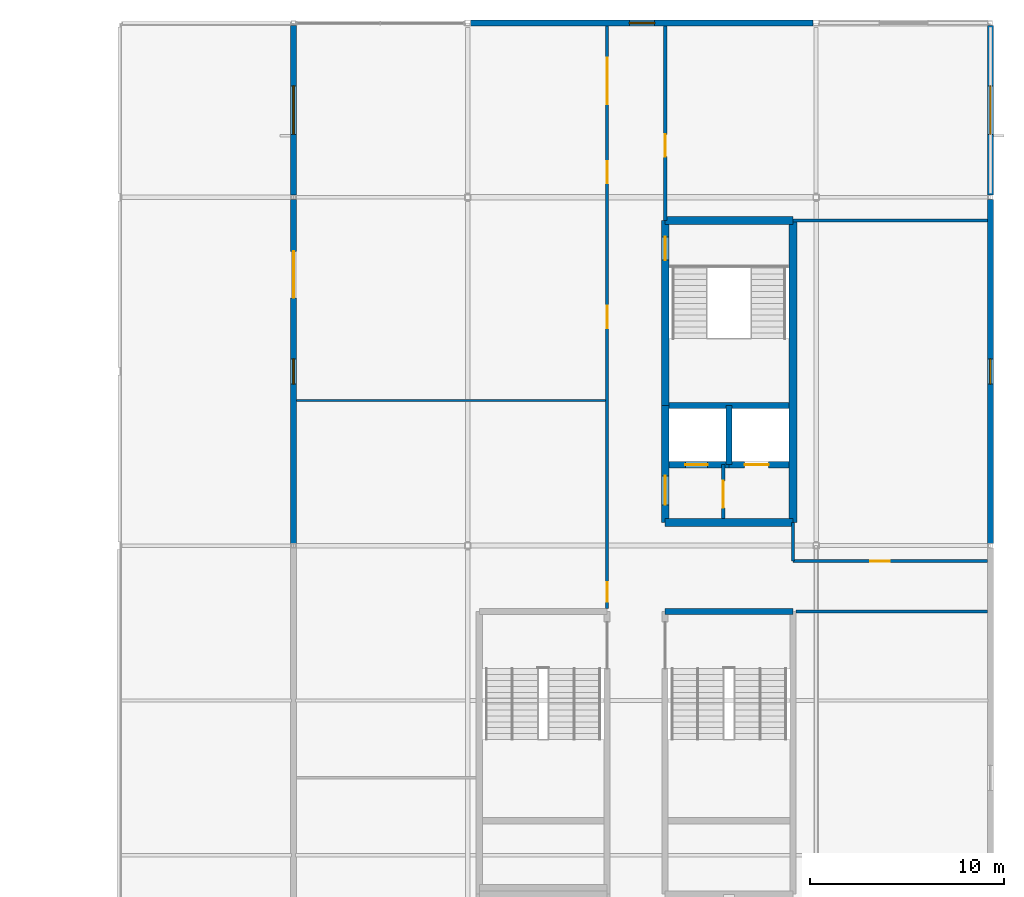
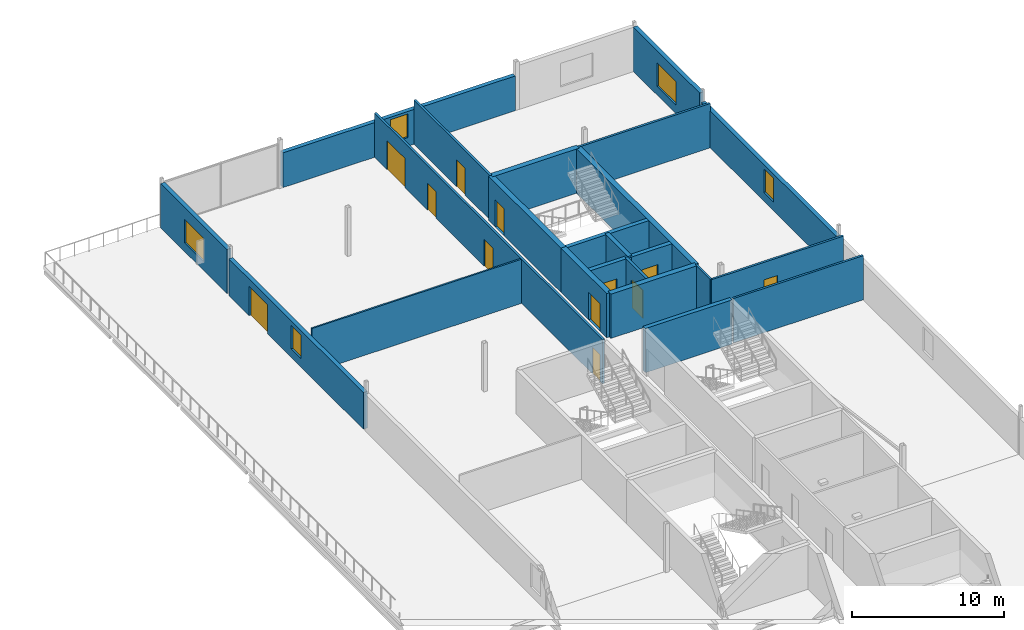
# One storey, part 33 of 55: 23 walls, 12 doors, 5 windows, 17 openings.
"""IFC4 building model written with IfcOpenShell, lengths in metres."""

from ifc_helpers import new_model, si_unit, direction, frame, frame_2d, origin, place, context, subcontext, project, spatial, rectangle, extrude, material, layer, layer_set, type_object, element, fill, save


model = new_model("IFC4")

# Units and contexts
model_context = context("Model", 3, precision=1e-05, world=origin(), true_north=direction((0.0, 1.0)))
body_context = subcontext(model_context, "Body", "Model", "MODEL_VIEW")
ifc_project = project(units=[si_unit("LENGTHUNIT", "METRE"), si_unit("AREAUNIT", "SQUARE_METRE"), si_unit("VOLUMEUNIT", "CUBIC_METRE"), si_unit("PLANEANGLEUNIT", "RADIAN"), si_unit("MASSUNIT", "GRAM", prefix="KILO")], contexts=[model_context])

# Site, building, storey
site_placement = place(None, origin())
site = spatial("IfcSite", under=ifc_project, at=site_placement, CompositionType="ELEMENT")
building_placement = place(site_placement, origin())
building = spatial("IfcBuilding", under=site, at=building_placement, Name="Kisiwana Market Hall", CompositionType="ELEMENT")
storey_placement = place(building_placement, frame((0.0, 0.0, 37.800048828125)))
storey = spatial("IfcBuildingStorey", under=building, at=storey_placement, Name="L08", CompositionType="ELEMENT", Elevation=37.800048828125)

# Wall, opening, door
ifc_material_1 = material(Name="Masonry blockwork", Category="masonry")
ifc_layer_1 = layer(ifc_material_1, 0.199951171875, Name="Plastered fire compartment block wall")
ifc_layer_set_1 = layer_set([ifc_layer_1], Name="WL-COMP-200")
wall_type_1 = type_object("IfcWallType", Name="WL-COMP-200", PredefinedType="PARTITIONING", material=ifc_layer_set_1)
wall_1_placement = place(storey_placement, frame((184.199951171875, 85.39990234375, 0.0), z_axis=(0.0, 0.0, 1.0), x_axis=(0.0, 1.0, 0.0)))
wall_1 = element("IfcWall", 1, at=wall_1_placement, inside=storey, type_object=wall_type_1, Name="Core E1 firefighting lobby wall W-2382", PredefinedType="PARTITIONING", context=body_context, shape_type="SweptSolid", body=[
    extrude(rectangle(XDim=2.780029296875, YDim=0.199951171875, at=frame_2d((1.39013671875, 0.0))), origin(), (0.0, 0.0, 1.0), 3.56494140625),
])
opening_1_placement = place(wall_1_placement, frame((0.550048828125, 0.0, 0.0)))
opening_1 = element("IfcOpeningElement", 2, at=opening_1_placement, cuts=wall_1, Name="Opening DR-L08-012", PredefinedType="OPENING", context=body_context, shape_type="SweptSolid", body=[
    extrude(rectangle(XDim=1.39990234375, YDim=2.25, at=frame_2d((0.699951171875, 1.125))), frame((0.0, 0.11181640625, 0.0), z_axis=(0.0, -1.0, 0.0), x_axis=(1.0, 0.0, 0.0)), (0.0, 0.0, 1.0), 0.223876953125),
])
ifc_material_2 = material(Name="Steel S275", Category="steel")
door_type_1 = type_object("IfcDoorType", Name="DR-FFLOB-FD120-1400", OperationType="DOUBLE_DOOR_SINGLE_SWING", PredefinedType="DOOR", material=ifc_material_2)
door_1_placement = place(opening_1_placement, origin())
door_1 = element("IfcDoor", 3, at=door_1_placement, inside=storey, type_object=door_type_1, Name="Firefighting Lift Lobby E1 Door (L08)", OperationType="DOUBLE_DOOR_SINGLE_SWING", OverallHeight=2.25, OverallWidth=1.39990234375, PredefinedType="DOOR", context=body_context, shape_type="SweptSolid", body=[
    extrude(rectangle(XDim=1.39990234375, YDim=2.25, at=frame_2d((0.699951171875, 1.125))), frame((0.0, 0.02490234375, 0.0), z_axis=(0.0, -1.0, 0.0), x_axis=(1.0, 0.0, 0.0)), (0.0, 0.0, 1.0), 0.050048828125),
])
fill(opening_1, door_1)

# Walls
ifc_material_3 = material(Name="Concrete C40/50", Category="concrete")
ifc_layer_2 = layer(ifc_material_3, 0.320068359375, Name="Reinforced concrete shaft wall")
ifc_layer_set_2 = layer_set([ifc_layer_2], Name="WL-CORE-320")
wall_type_2 = type_object("IfcWallType", Name="WL-CORE-320", PredefinedType="SHEAR", material=ifc_layer_set_2)
wall_2_placement = place(storey_placement, frame((181.39990234375, 91.239990234375, 0.0), z_axis=(0.0, 0.0, 1.0), x_axis=(1.0, 0.0, 0.0)))
element("IfcWall", 4, at=wall_2_placement, inside=storey, type_object=wall_type_2, Name="Core E1 shaft back shear wall W-2294", PredefinedType="SHEAR", context=body_context, shape_type="SweptSolid", body=[
    extrude(rectangle(XDim=6.2001953125, YDim=0.320068359375, at=frame_2d((3.10009765625, 0.0))), origin(), (0.0, 0.0, 1.0), 3.56494140625),
])
wall_3_placement = place(storey_placement, frame((184.5, 88.179931640625, 0.0), z_axis=(0.0, 0.0, 1.0), x_axis=(0.0, 1.0, 0.0)))
element("IfcWall", 5, at=wall_3_placement, inside=storey, type_object=wall_type_2, Name="Core E1 inter-shaft shear wall W-2295", PredefinedType="SHEAR", context=body_context, shape_type="SweptSolid", body=[
    extrude(rectangle(XDim=3.06005859375, YDim=0.320068359375, at=frame_2d((1.530029296875, 0.0))), origin(), (0.0, 0.0, 1.0), 3.56494140625),
])

# Wall, opening, door
wall_4_placement = place(storey_placement, frame((181.39990234375, 88.179931640625, 0.0), z_axis=(0.0, 0.0, 1.0), x_axis=(1.0, 0.0, 0.0)))
wall_4 = element("IfcWall", 6, at=wall_4_placement, inside=storey, type_object=wall_type_2, Name="Core E1 west lift front wall W-2296", PredefinedType="SHEAR", context=body_context, shape_type="SweptSolid", body=[
    extrude(rectangle(XDim=3.10009765625, YDim=0.320068359375, at=frame_2d((1.550048828125, 0.0))), origin(), (0.0, 0.0, 1.0), 3.56494140625),
])
opening_2_placement = place(wall_4_placement, frame((0.85009765625, 0.0, 0.0)))
opening_2 = element("IfcOpeningElement", 7, at=opening_2_placement, cuts=wall_4, Name="Opening LD-L08-007", PredefinedType="OPENING", context=body_context, shape_type="SweptSolid", body=[
    extrude(rectangle(XDim=1.14990234375, YDim=2.199951171875, at=frame_2d((0.574951171875, 1.10009765625))), frame((0.0, 0.171875, 0.0), z_axis=(0.0, -1.0, 0.0), x_axis=(1.0, 0.0, 0.0)), (0.0, 0.0, 1.0), 0.343994140625),
])
ifc_material_4 = material(Name="Steel S275", Category="steel")
door_type_2 = type_object("IfcDoorType", Name="DR-LIFT-PAX-1150", OperationType="DOUBLE_DOOR_SLIDING", PredefinedType="DOOR", material=ifc_material_4)
door_2_placement = place(opening_2_placement, origin())
door_2 = element("IfcDoor", 8, at=door_2_placement, inside=storey, type_object=door_type_2, Name="Lift Landing Door LP-04 (L08)", OperationType="DOUBLE_DOOR_SLIDING", OverallHeight=2.199951171875, OverallWidth=1.14990234375, PredefinedType="DOOR", context=body_context, shape_type="SweptSolid", body=[
    extrude(rectangle(XDim=1.14990234375, YDim=2.199951171875, at=frame_2d((0.574951171875, 1.10009765625))), frame((0.0, 0.02490234375, 0.0), z_axis=(0.0, -1.0, 0.0), x_axis=(1.0, 0.0, 0.0)), (0.0, 0.0, 1.0), 0.050048828125),
])
fill(opening_2, door_2)

wall_5_placement = place(storey_placement, frame((184.5, 88.179931640625, 0.0), z_axis=(0.0, 0.0, 1.0), x_axis=(1.0, 0.0, 0.0)))
wall_5 = element("IfcWall", 9, at=wall_5_placement, inside=storey, type_object=wall_type_2, Name="Core E1 east lift front wall W-2297", PredefinedType="SHEAR", context=body_context, shape_type="SweptSolid", body=[
    extrude(rectangle(XDim=3.10009765625, YDim=0.320068359375, at=frame_2d((1.550048828125, 0.0))), origin(), (0.0, 0.0, 1.0), 3.56494140625),
])
opening_3_placement = place(wall_5_placement, frame((0.800048828125, 0.0, 0.0)))
opening_3 = element("IfcOpeningElement", 10, at=opening_3_placement, cuts=wall_5, Name="Opening LD-L08-008", PredefinedType="OPENING", context=body_context, shape_type="SweptSolid", body=[
    extrude(rectangle(XDim=1.25, YDim=2.25, at=frame_2d((0.625, 1.125))), frame((0.0, 0.171875, 0.0), z_axis=(0.0, -1.0, 0.0), x_axis=(1.0, 0.0, 0.0)), (0.0, 0.0, 1.0), 0.343994140625),
])
ifc_material_5 = material(Name="Steel S275", Category="steel")
door_type_3 = type_object("IfcDoorType", Name="DR-LIFT-FFL-1250", OperationType="DOUBLE_DOOR_SLIDING", PredefinedType="DOOR", material=ifc_material_5)
door_3_placement = place(opening_3_placement, origin())
door_3 = element("IfcDoor", 11, at=door_3_placement, inside=storey, type_object=door_type_3, Name="Lift Landing Door FFL-04 (L08)", OperationType="DOUBLE_DOOR_SLIDING", OverallHeight=2.25, OverallWidth=1.25, PredefinedType="DOOR", context=body_context, shape_type="SweptSolid", body=[
    extrude(rectangle(XDim=1.25, YDim=2.25, at=frame_2d((0.625, 1.125))), frame((0.0, 0.02490234375, 0.0), z_axis=(0.0, -1.0, 0.0), x_axis=(1.0, 0.0, 0.0)), (0.0, 0.0, 1.0), 0.050048828125),
])
fill(opening_3, door_3)

# Walls
wall_6_placement = place(storey_placement, frame((181.199951171875, 80.60009765625, 0.0), z_axis=(0.0, 0.0, 1.0), x_axis=(1.0, 0.0, 0.0)))
element("IfcWall", 12, at=wall_6_placement, inside=storey, type_object=wall_type_2, Name="Core E4 north shear wall W-2314", PredefinedType="SHEAR", context=body_context, shape_type="SweptSolid", body=[
    extrude(rectangle(XDim=6.60009765625, YDim=0.320068359375, at=frame_2d((3.300048828125, 0.0))), origin(), (0.0, 0.0, 1.0), 3.56494140625),
])
ifc_material_6 = material(Name="Concrete C40/50", Category="concrete")
ifc_layer_3 = layer(ifc_material_6, 0.39990234375, Name="Reinforced concrete core wall")
ifc_layer_set_3 = layer_set([ifc_layer_3], Name="WL-CORE-400")
wall_type_3 = type_object("IfcWallType", Name="WL-CORE-400", PredefinedType="SHEAR", material=ifc_layer_set_3)
for number, where, z_axis, x_axis, name in (
    (13, (181.199951171875, 85.199951171875, 0.0), (0.0, 0.0, 1.0), (1.0, 0.0, 0.0), "Core E1 south shear wall W-2289"),
    (14, (181.199951171875, 100.800048828125, 0.0), (0.0, 0.0, 1.0), (1.0, 0.0, 0.0), "Core E1 north shear wall W-2290"),
):
    element("IfcWall", number, at=place(storey_placement, frame(where, z_axis=z_axis, x_axis=x_axis)), inside=storey, type_object=wall_type_3, Name=name, PredefinedType="SHEAR", context=body_context, shape_type="SweptSolid", body=[
        extrude(rectangle(XDim=6.60009765625, YDim=0.39990234375, at=frame_2d((3.300048828125, 0.0))), origin(), (0.0, 0.0, 1.0), 3.56494140625),
    ])
wall_7_placement = place(storey_placement, frame((187.800048828125, 85.199951171875, 0.0), z_axis=(0.0, 0.0, 1.0), x_axis=(0.0, 1.0, 0.0)))
element("IfcWall", 15, at=wall_7_placement, inside=storey, type_object=wall_type_3, Name="Core E1 outer shear wall W-2291", PredefinedType="SHEAR", context=body_context, shape_type="SweptSolid", body=[
    extrude(rectangle(XDim=15.60009765625, YDim=0.39990234375, at=frame_2d((7.800048828125, 0.0))), origin(), (0.0, 0.0, 1.0), 3.56494140625),
])

# Wall, opening, door
wall_8_placement = place(storey_placement, frame((181.199951171875, 85.199951171875, 0.0), z_axis=(0.0, 0.0, 1.0), x_axis=(0.0, 1.0, 0.0)))
wall_8 = element("IfcWall", 16, at=wall_8_placement, inside=storey, type_object=wall_type_3, Name="Core E1 lobby corridor shear wall W-2292", PredefinedType="SHEAR", context=body_context, shape_type="SweptSolid", body=[
    extrude(rectangle(XDim=6.0400390625, YDim=0.39990234375, at=frame_2d((3.02001953125, 0.0))), origin(), (0.0, 0.0, 1.0), 3.56494140625),
])
opening_4_placement = place(wall_8_placement, frame((0.89990234375, 0.0, 0.0)))
opening_4 = element("IfcOpeningElement", 17, at=opening_4_placement, cuts=wall_8, Name="Opening DR-L08-010", PredefinedType="OPENING", context=body_context, shape_type="SweptSolid", body=[
    extrude(rectangle(XDim=1.5, YDim=2.199951171875, at=frame_2d((0.75, 1.10009765625))), frame((0.0, 0.2119140625, 0.0), z_axis=(0.0, -1.0, 0.0), x_axis=(1.0, 0.0, 0.0)), (0.0, 0.0, 1.0), 0.423828125),
])
ifc_material_7 = material(Name="Steel S275", Category="steel")
door_type_4 = type_object("IfcDoorType", Name="DR-CORR-FD60-1500", OperationType="DOUBLE_DOOR_SINGLE_SWING", PredefinedType="DOOR", material=ifc_material_7)
door_4_placement = place(opening_4_placement, origin())
door_4 = element("IfcDoor", 18, at=door_4_placement, inside=storey, type_object=door_type_4, Name="Passenger Lift Lobby E1 Smoke Door (L08)", OperationType="DOUBLE_DOOR_SINGLE_SWING", OverallHeight=2.199951171875, OverallWidth=1.5, PredefinedType="DOOR", context=body_context, shape_type="SweptSolid", body=[
    extrude(rectangle(XDim=1.5, YDim=2.199951171875, at=frame_2d((0.75, 1.10009765625))), frame((0.0, 0.02490234375, 0.0), z_axis=(0.0, -1.0, 0.0), x_axis=(1.0, 0.0, 0.0)), (0.0, 0.0, 1.0), 0.050048828125),
])
fill(opening_4, door_4)

wall_9_placement = place(storey_placement, frame((181.199951171875, 91.239990234375, 0.0), z_axis=(0.0, 0.0, 1.0), x_axis=(0.0, 1.0, 0.0)))
wall_9 = element("IfcWall", 19, at=wall_9_placement, inside=storey, type_object=wall_type_3, Name="Core E1 stair corridor shear wall W-2293", PredefinedType="SHEAR", context=body_context, shape_type="SweptSolid", body=[
    extrude(rectangle(XDim=9.56005859375, YDim=0.39990234375, at=frame_2d((4.780029296875, 0.0))), origin(), (0.0, 0.0, 1.0), 3.56494140625),
])
opening_5_placement = place(wall_9_placement, frame((7.510009765625, 0.0, 0.0)))
opening_5 = element("IfcOpeningElement", 20, at=opening_5_placement, cuts=wall_9, Name="Opening DR-L08-011", PredefinedType="OPENING", context=body_context, shape_type="SweptSolid", body=[
    extrude(rectangle(XDim=1.199951171875, YDim=2.199951171875, at=frame_2d((0.60009765625, 1.10009765625))), frame((0.0, 0.2119140625, 0.0), z_axis=(0.0, -1.0, 0.0), x_axis=(1.0, 0.0, 0.0)), (0.0, 0.0, 1.0), 0.423828125),
])
ifc_material_8 = material(Name="Steel S275", Category="steel")
door_type_5 = type_object("IfcDoorType", Name="DR-STAIR-FD120-1200", OperationType="NOTDEFINED", PredefinedType="DOOR", material=ifc_material_8)
door_5_placement = place(opening_5_placement, frame((1.199951171875, 0.0, 0.0), z_axis=(0.0, 0.0, 1.0), x_axis=(-1.0, 0.0, 0.0)))
door_5 = element("IfcDoor", 21, at=door_5_placement, inside=storey, type_object=door_type_5, Name="Escape Stair E1 Fire Door (L08)", OperationType="SINGLE_SWING_LEFT", OverallHeight=2.199951171875, OverallWidth=1.199951171875, PredefinedType="DOOR", context=body_context, shape_type="SweptSolid", body=[
    extrude(rectangle(XDim=1.199951171875, YDim=2.199951171875, at=frame_2d((0.60009765625, 1.10009765625))), frame((0.0, 0.02490234375, 0.0), z_axis=(0.0, -1.0, 0.0), x_axis=(1.0, 0.0, 0.0)), (0.0, 0.0, 1.0), 0.050048828125),
])
fill(opening_5, door_5)

# Wall
ifc_material_9 = material(Name="Masonry blockwork", Category="masonry")
ifc_layer_4 = layer(ifc_material_9, 0.169921875, Name="Protected corridor partition")
ifc_layer_set_4 = layer_set([ifc_layer_4], Name="WL-CORR-170")
wall_type_4 = type_object("IfcWallType", Name="WL-CORR-170", PredefinedType="PARTITIONING", material=ifc_layer_set_4)
wall_10_placement = place(storey_placement, frame((187.800048828125, 100.800048828125, 0.0), z_axis=(0.0, 0.0, 1.0), x_axis=(1.0, 0.0, 0.0)))
element("IfcWall", 22, at=wall_10_placement, inside=storey, type_object=wall_type_4, Name="Interior partition W-2410", PredefinedType="PARTITIONING", context=body_context, shape_type="SweptSolid", body=[
    extrude(rectangle(XDim=10.054931640625, YDim=0.169921875, at=frame_2d((5.02734375, 0.0))), origin(), (0.0, 0.0, 1.0), 3.56494140625),
])

# Wall, opening, door
wall_11_placement = place(storey_placement, frame((181.199951171875, 100.800048828125, 0.0), z_axis=(0.0, 0.0, 1.0), x_axis=(0.0, 1.0, 0.0)))
wall_11 = element("IfcWall", 23, at=wall_11_placement, inside=storey, type_object=wall_type_4, Name="Interior partition W-2416", PredefinedType="PARTITIONING", context=body_context, shape_type="SweptSolid", body=[
    extrude(rectangle(XDim=10.054931640625, YDim=0.169921875, at=frame_2d((5.02734375, 0.0))), origin(), (0.0, 0.0, 1.0), 3.56494140625),
])
opening_6_placement = place(wall_11_placement, frame((3.300048828125, 0.0, 0.0)))
opening_6 = element("IfcOpeningElement", 24, at=opening_6_placement, cuts=wall_11, Name="Opening DR-L08-047", PredefinedType="OPENING", context=body_context, shape_type="SweptSolid", body=[
    extrude(rectangle(XDim=1.14990234375, YDim=2.14990234375, at=frame_2d((0.574951171875, 1.074951171875))), frame((0.0, 0.096923828125, 0.0), z_axis=(0.0, -1.0, 0.0), x_axis=(1.0, 0.0, 0.0)), (0.0, 0.0, 1.0), 0.19384765625),
])
ifc_material_10 = material(Name="Aluminium alloy 6063-T6", Category="aluminium")
door_type_6 = type_object("IfcDoorType", Name="DR-MEET-1150", OperationType="NOTDEFINED", PredefinedType="DOOR", material=ifc_material_10)
door_6_placement = place(opening_6_placement, frame((1.14990234375, 0.0, 0.0), z_axis=(0.0, 0.0, 1.0), x_axis=(-1.0, 0.0, 0.0)))
door_6 = element("IfcDoor", 25, at=door_6_placement, inside=storey, type_object=door_type_6, Name="L08 E Corner Office Suite North Door", OperationType="SINGLE_SWING_RIGHT", OverallHeight=2.14990234375, OverallWidth=1.14990234375, PredefinedType="DOOR", context=body_context, shape_type="SweptSolid", body=[
    extrude(rectangle(XDim=1.14990234375, YDim=2.14990234375, at=frame_2d((0.574951171875, 1.074951171875))), frame((0.0, 0.02490234375, 0.0), z_axis=(0.0, -1.0, 0.0), x_axis=(1.0, 0.0, 0.0)), (0.0, 0.0, 1.0), 0.050048828125),
])
fill(opening_6, door_6)

# Wall, openings, doors
wall_12_placement = place(storey_placement, frame((178.199951171875, 80.760009765625, 0.0), z_axis=(0.0, 0.0, 1.0), x_axis=(0.0, 1.0, 0.0)))
wall_12 = element("IfcWall", 26, at=wall_12_placement, inside=storey, type_object=wall_type_4, Name="Interior partition W-2422", PredefinedType="PARTITIONING", context=body_context, shape_type="SweptSolid", body=[
    extrude(rectangle(XDim=30.094970703125, YDim=0.169921875, at=frame_2d((15.04736328125, 0.0))), origin(), (0.0, 0.0, 1.0), 3.56494140625),
])
opening_7_placement = place(wall_12_placement, frame((0.35009765625, 0.0, 0.0)))
opening_7 = element("IfcOpeningElement", 27, at=opening_7_placement, cuts=wall_12, Name="Opening DR-L08-053", PredefinedType="OPENING", context=body_context, shape_type="SweptSolid", body=[
    extrude(rectangle(XDim=1.0, YDim=2.14990234375, at=frame_2d((0.5, 1.074951171875))), frame((0.0, 0.096923828125, 0.0), z_axis=(0.0, -1.0, 0.0), x_axis=(1.0, 0.0, 0.0)), (0.0, 0.0, 1.0), 0.19384765625),
])
opening_8_placement = place(wall_12_placement, frame((21.949951171875, 0.0, 0.0)))
opening_8 = element("IfcOpeningElement", 28, at=opening_8_placement, cuts=wall_12, Name="Opening DR-L08-054", PredefinedType="OPENING", context=body_context, shape_type="SweptSolid", body=[
    extrude(rectangle(XDim=1.14990234375, YDim=2.14990234375, at=frame_2d((0.574951171875, 1.074951171875))), frame((0.0, 0.096923828125, 0.0), z_axis=(0.0, -1.0, 0.0), x_axis=(1.0, 0.0, 0.0)), (0.0, 0.0, 1.0), 0.19384765625),
])
opening_9_placement = place(wall_12_placement, frame((26.0400390625, 0.0, 0.0)))
opening_9 = element("IfcOpeningElement", 29, at=opening_9_placement, cuts=wall_12, Name="Opening DR-L08-055", PredefinedType="OPENING", context=body_context, shape_type="SweptSolid", body=[
    extrude(rectangle(XDim=2.39990234375, YDim=2.35009765625, at=frame_2d((1.199951171875, 1.175048828125))), frame((0.0, 0.096923828125, 0.0), z_axis=(0.0, -1.0, 0.0), x_axis=(1.0, 0.0, 0.0)), (0.0, 0.0, 1.0), 0.19384765625),
])
opening_10_placement = place(wall_12_placement, frame((14.472900390625, 0.0, 0.0)))
opening_10 = element("IfcOpeningElement", 30, at=opening_10_placement, cuts=wall_12, Name="Opening DR-L08-056", PredefinedType="OPENING", context=body_context, shape_type="SweptSolid", body=[
    extrude(rectangle(XDim=1.14990234375, YDim=2.14990234375, at=frame_2d((0.574951171875, 1.074951171875))), frame((0.0, 0.096923828125, 0.0), z_axis=(0.0, -1.0, 0.0), x_axis=(1.0, 0.0, 0.0)), (0.0, 0.0, 1.0), 0.19384765625),
])
ifc_material_11 = material(Name="Steel S275", Category="steel")
door_type_7 = type_object("IfcDoorType", Name="DR-HALL-2400", OperationType="DOUBLE_DOOR_SINGLE_SWING", PredefinedType="DOOR", material=ifc_material_11)
door_7_placement = place(opening_9_placement, origin())
door_7 = element("IfcDoor", 31, at=door_7_placement, inside=storey, type_object=door_type_7, Name="L08 E Client Briefing Room M5 Second Door", OperationType="DOUBLE_DOOR_SINGLE_SWING", OverallHeight=2.35009765625, OverallWidth=2.39990234375, PredefinedType="DOOR", context=body_context, shape_type="SweptSolid", body=[
    extrude(rectangle(XDim=2.39990234375, YDim=2.35009765625, at=frame_2d((1.199951171875, 1.175048828125))), frame((0.0, 0.02490234375, 0.0), z_axis=(0.0, -1.0, 0.0), x_axis=(1.0, 0.0, 0.0)), (0.0, 0.0, 1.0), 0.050048828125),
])
fill(opening_9, door_7)
door_8_placement = place(opening_8_placement, origin())
door_8 = element("IfcDoor", 32, at=door_8_placement, inside=storey, type_object=door_type_6, Name="L08 E Client Briefing Room M5 Door", OperationType="SINGLE_SWING_RIGHT", OverallHeight=2.14990234375, OverallWidth=1.14990234375, PredefinedType="DOOR", context=body_context, shape_type="SweptSolid", body=[
    extrude(rectangle(XDim=1.14990234375, YDim=2.14990234375, at=frame_2d((0.574951171875, 1.074951171875))), frame((0.0, 0.02490234375, 0.0), z_axis=(0.0, -1.0, 0.0), x_axis=(1.0, 0.0, 0.0)), (0.0, 0.0, 1.0), 0.050048828125),
])
fill(opening_8, door_8)
door_9_placement = place(opening_10_placement, origin())
door_9 = element("IfcDoor", 33, at=door_9_placement, inside=storey, type_object=door_type_6, Name="L08 E Engineering Design Studio M3 Door", OperationType="SINGLE_SWING_LEFT", OverallHeight=2.14990234375, OverallWidth=1.14990234375, PredefinedType="DOOR", context=body_context, shape_type="SweptSolid", body=[
    extrude(rectangle(XDim=1.14990234375, YDim=2.14990234375, at=frame_2d((0.574951171875, 1.074951171875))), frame((0.0, 0.02490234375, 0.0), z_axis=(0.0, -1.0, 0.0), x_axis=(1.0, 0.0, 0.0)), (0.0, 0.0, 1.0), 0.050048828125),
])
fill(opening_10, door_9)
ifc_material_12 = material(Name="Aluminium alloy 6063-T6", Category="aluminium")
door_type_8 = type_object("IfcDoorType", Name="DR-OFF-1000", OperationType="NOTDEFINED", PredefinedType="DOOR", material=ifc_material_12)
door_10_placement = place(opening_7_placement, origin())
door_10 = element("IfcDoor", 34, at=door_10_placement, inside=storey, type_object=door_type_8, Name="L08 E Mid-Rise Office Suite M4 Door", OperationType="SINGLE_SWING_LEFT", OverallHeight=2.14990234375, OverallWidth=1.0, PredefinedType="DOOR", context=body_context, shape_type="SweptSolid", body=[
    extrude(rectangle(XDim=1.0, YDim=2.14990234375, at=frame_2d((0.5, 1.074951171875))), frame((0.0, 0.02490234375, 0.0), z_axis=(0.0, -1.0, 0.0), x_axis=(1.0, 0.0, 0.0)), (0.0, 0.0, 1.0), 0.050048828125),
])
fill(opening_7, door_10)

# Wall, opening, window
ifc_material_13 = material(Name="Concrete C40/50 precast", Category="concrete")
ifc_layer_5 = layer(ifc_material_13, 0.31494140625)
ifc_layer_set_5 = layer_set([ifc_layer_5], Name="WL-EXT-315")
wall_type_5 = type_object("IfcWallType", Name="WL-EXT-315", PredefinedType="STANDARD", material=ifc_layer_set_5)
wall_13_placement = place(storey_placement, frame((171.15380859375, 111.0, 0.0), z_axis=(0.0, 0.0, 1.0), x_axis=(1.0, 0.0, 0.0)))
wall_13 = element("IfcWall", 35, at=wall_13_placement, inside=storey, type_object=wall_type_5, Name="Exterior wall W-2353", PredefinedType="STANDARD", context=body_context, shape_type="SweptSolid", body=[
    extrude(rectangle(XDim=17.6923828125, YDim=0.31494140625, at=frame_2d((8.84619140625, 0.0))), origin(), (0.0, 0.0, 1.0), 2.802734375),
])
opening_11_placement = place(wall_13_placement, frame((8.1962890625, 0.0, 0.699951171875)))
opening_11 = element("IfcOpeningElement", 36, at=opening_11_placement, cuts=wall_13, Name="Opening WN-08", PredefinedType="OPENING", context=body_context, shape_type="SweptSolid", body=[
    extrude(rectangle(XDim=1.300048828125, YDim=1.89990234375, at=frame_2d((0.64990234375, 0.949951171875))), frame((0.0, 0.16943359375, 0.0), z_axis=(0.0, -1.0, 0.0), x_axis=(1.0, 0.0, 0.0)), (0.0, 0.0, 1.0), 0.3388671875),
])
ifc_material_14 = material(Name="Double-glazed solar-control low-E IGU", Category="glass")
window_type_1 = type_object("IfcWindowType", Name="WN-OFFB-1300x1900", PartitioningType="SINGLE_PANEL", PredefinedType="WINDOW", material=ifc_material_14)
window_1_placement = place(opening_11_placement, origin())
window_1 = element("IfcWindow", 37, at=window_1_placement, inside=storey, type_object=window_type_1, Name="Exterior window WN-230", OverallHeight=1.89990234375, OverallWidth=1.300048828125, PartitioningType="SINGLE_PANEL", PredefinedType="WINDOW", context=body_context, shape_type="SweptSolid", body=[
    extrude(rectangle(XDim=1.300048828125, YDim=1.89990234375, at=frame_2d((0.64990234375, 0.949951171875))), frame((0.0, 0.030029296875, 0.0), z_axis=(0.0, -1.0, 0.0), x_axis=(1.0, 0.0, 0.0)), (0.0, 0.0, 1.0), 0.06005859375),
])
fill(opening_11, window_1)

# Wall, openings, door, window
wall_14_placement = place(storey_placement, frame((162.0, 84.114990234375, 0.0), z_axis=(0.0, 0.0, 1.0), x_axis=(0.0, 1.0, 0.0)))
wall_14 = element("IfcWall", 38, at=wall_14_placement, inside=storey, type_object=wall_type_5, Name="Exterior wall W-2371", PredefinedType="STANDARD", context=body_context, shape_type="SweptSolid", body=[
    extrude(rectangle(XDim=17.77001953125, YDim=0.31494140625, at=frame_2d((8.885009765625, 0.0))), origin(), (0.0, 0.0, 1.0), 2.95263671875),
])
opening_12_placement = place(wall_14_placement, frame((8.235107421875, 0.0, 0.699951171875)))
opening_12 = element("IfcOpeningElement", 39, at=opening_12_placement, cuts=wall_14, Name="Opening WN-08", PredefinedType="OPENING", context=body_context, shape_type="SweptSolid", body=[
    extrude(rectangle(XDim=1.300048828125, YDim=1.89990234375, at=frame_2d((0.64990234375, 0.949951171875))), frame((0.0, 0.16943359375, 0.0), z_axis=(0.0, -1.0, 0.0), x_axis=(1.0, 0.0, 0.0)), (0.0, 0.0, 1.0), 0.3388671875),
])
opening_13_placement = place(wall_14_placement, frame((12.68505859375, 0.0, 0.0)))
opening_13 = element("IfcOpeningElement", 40, at=opening_13_placement, cuts=wall_14, Name="Opening DR-L08-992", PredefinedType="OPENING", context=body_context, shape_type="SweptSolid", body=[
    extrude(rectangle(XDim=2.39990234375, YDim=2.35009765625, at=frame_2d((1.199951171875, 1.175048828125))), frame((0.0, 0.16943359375, 0.0), z_axis=(0.0, -1.0, 0.0), x_axis=(1.0, 0.0, 0.0)), (0.0, 0.0, 1.0), 0.3388671875),
])
ifc_material_15 = material(Name="Aluminium alloy 6063-T6", Category="aluminium")
door_type_9 = type_object("IfcDoorType", Name="DR-EXT-TERR-2400", OperationType="DOUBLE_DOOR_SINGLE_SWING", PredefinedType="DOOR", material=ifc_material_15)
door_11_placement = place(opening_13_placement, frame((2.39990234375, 0.0, 0.0), z_axis=(0.0, 0.0, 1.0), x_axis=(-1.0, 0.0, 0.0)))
door_11 = element("IfcDoor", 41, at=door_11_placement, inside=storey, type_object=door_type_9, Name="Exterior terrace access door DR-L08-992", OperationType="DOUBLE_DOOR_SINGLE_SWING", OverallHeight=2.35009765625, OverallWidth=2.39990234375, PredefinedType="DOOR", context=body_context, shape_type="SweptSolid", body=[
    extrude(rectangle(XDim=2.39990234375, YDim=2.35009765625, at=frame_2d((1.199951171875, 1.175048828125))), frame((0.0, 0.02490234375, 0.0), z_axis=(0.0, -1.0, 0.0), x_axis=(1.0, 0.0, 0.0)), (0.0, 0.0, 1.0), 0.050048828125),
])
fill(opening_13, door_11)
window_2_placement = place(opening_12_placement, origin())
window_2 = element("IfcWindow", 42, at=window_2_placement, inside=storey, type_object=window_type_1, Name="Exterior window WN-242", OverallHeight=1.89990234375, OverallWidth=1.300048828125, PartitioningType="SINGLE_PANEL", PredefinedType="WINDOW", context=body_context, shape_type="SweptSolid", body=[
    extrude(rectangle(XDim=1.300048828125, YDim=1.89990234375, at=frame_2d((0.64990234375, 0.949951171875))), frame((0.0, 0.030029296875, 0.0), z_axis=(0.0, -1.0, 0.0), x_axis=(1.0, 0.0, 0.0)), (0.0, 0.0, 1.0), 0.06005859375),
])
fill(opening_12, window_2)

# Wall, opening, window
wall_15_placement = place(storey_placement, frame((162.0, 102.114990234375, 0.0), z_axis=(0.0, 0.0, 1.0), x_axis=(0.0, 1.0, 0.0)))
wall_15 = element("IfcWall", 43, at=wall_15_placement, inside=storey, type_object=wall_type_5, Name="Exterior wall W-2372", PredefinedType="STANDARD", context=body_context, shape_type="SweptSolid", body=[
    extrude(rectangle(XDim=8.77001953125, YDim=0.31494140625, at=frame_2d((4.385009765625, 0.0))), origin(), (0.0, 0.0, 1.0), 3.56494140625),
])
opening_14_placement = place(wall_15_placement, frame((3.135009765625, 0.0, 0.699951171875)))
opening_14 = element("IfcOpeningElement", 44, at=opening_14_placement, cuts=wall_15, Name="Opening WN-17", PredefinedType="OPENING", context=body_context, shape_type="SweptSolid", body=[
    extrude(rectangle(XDim=2.5, YDim=1.89990234375, at=frame_2d((1.25, 0.949951171875))), frame((0.0, 0.16943359375, 0.0), z_axis=(0.0, -1.0, 0.0), x_axis=(1.0, 0.0, 0.0)), (0.0, 0.0, 1.0), 0.3388671875),
])
ifc_material_16 = material(Name="Double-glazed solar-control low-E IGU", Category="glass")
window_type_2 = type_object("IfcWindowType", Name="WN-OFFB-2500x1900", PartitioningType="SINGLE_PANEL", PredefinedType="WINDOW", material=ifc_material_16)
window_3_placement = place(opening_14_placement, origin())
window_3 = element("IfcWindow", 45, at=window_3_placement, inside=storey, type_object=window_type_2, Name="Exterior window WN-255", OverallHeight=1.89990234375, OverallWidth=2.5, PartitioningType="SINGLE_PANEL", PredefinedType="WINDOW", context=body_context, shape_type="SweptSolid", body=[
    extrude(rectangle(XDim=2.5, YDim=1.89990234375, at=frame_2d((1.25, 0.949951171875))), frame((0.0, 0.030029296875, 0.0), z_axis=(0.0, -1.0, 0.0), x_axis=(1.0, 0.0, 0.0)), (0.0, 0.0, 1.0), 0.06005859375),
])
fill(opening_14, window_3)

wall_16_placement = place(storey_placement, frame((198.0, 84.114990234375, 0.0), z_axis=(0.0, 0.0, 1.0), x_axis=(0.0, 1.0, 0.0)))
wall_16 = element("IfcWall", 46, at=wall_16_placement, inside=storey, type_object=wall_type_5, Name="Exterior wall W-2377", PredefinedType="STANDARD", context=body_context, shape_type="SweptSolid", body=[
    extrude(rectangle(XDim=17.77001953125, YDim=0.31494140625, at=frame_2d((8.885009765625, 0.0))), origin(), (0.0, 0.0, 1.0), 2.95263671875),
])
opening_15_placement = place(wall_16_placement, frame((8.235107421875, 0.0, 0.699951171875)))
opening_15 = element("IfcOpeningElement", 47, at=opening_15_placement, cuts=wall_16, Name="Opening WN-08", PredefinedType="OPENING", context=body_context, shape_type="SweptSolid", body=[
    extrude(rectangle(XDim=1.300048828125, YDim=1.89990234375, at=frame_2d((0.64990234375, 0.949951171875))), frame((0.0, 0.16943359375, 0.0), z_axis=(0.0, -1.0, 0.0), x_axis=(1.0, 0.0, 0.0)), (0.0, 0.0, 1.0), 0.3388671875),
])
window_4_placement = place(opening_15_placement, origin())
window_4 = element("IfcWindow", 48, at=window_4_placement, inside=storey, type_object=window_type_1, Name="Exterior window WN-246", OverallHeight=1.89990234375, OverallWidth=1.300048828125, PartitioningType="SINGLE_PANEL", PredefinedType="WINDOW", context=body_context, shape_type="SweptSolid", body=[
    extrude(rectangle(XDim=1.300048828125, YDim=1.89990234375, at=frame_2d((0.64990234375, 0.949951171875))), frame((0.0, 0.030029296875, 0.0), z_axis=(0.0, -1.0, 0.0), x_axis=(1.0, 0.0, 0.0)), (0.0, 0.0, 1.0), 0.06005859375),
])
fill(opening_15, window_4)

wall_17_placement = place(storey_placement, frame((198.0, 102.114990234375, 0.0), z_axis=(0.0, 0.0, 1.0), x_axis=(0.0, 1.0, 0.0)))
wall_17 = element("IfcWall", 49, at=wall_17_placement, inside=storey, type_object=wall_type_5, Name="Exterior wall W-2378", PredefinedType="STANDARD", context=body_context, shape_type="SweptSolid", body=[
    extrude(rectangle(XDim=8.77001953125, YDim=0.31494140625, at=frame_2d((4.385009765625, 0.0))), origin(), (0.0, 0.0, 1.0), 3.56494140625),
])
opening_16_placement = place(wall_17_placement, frame((3.135009765625, 0.0, 0.699951171875)))
opening_16 = element("IfcOpeningElement", 50, at=opening_16_placement, cuts=wall_17, Name="Opening WN-17", PredefinedType="OPENING", context=body_context, shape_type="SweptSolid", body=[
    extrude(rectangle(XDim=2.5, YDim=1.89990234375, at=frame_2d((1.25, 0.949951171875))), frame((0.0, 0.16943359375, 0.0), z_axis=(0.0, -1.0, 0.0), x_axis=(1.0, 0.0, 0.0)), (0.0, 0.0, 1.0), 0.3388671875),
])
window_5_placement = place(opening_16_placement, origin())
window_5 = element("IfcWindow", 51, at=window_5_placement, inside=storey, type_object=window_type_2, Name="Exterior window WN-257", OverallHeight=1.89990234375, OverallWidth=2.5, PartitioningType="SINGLE_PANEL", PredefinedType="WINDOW", context=body_context, shape_type="SweptSolid", body=[
    extrude(rectangle(XDim=2.5, YDim=1.89990234375, at=frame_2d((1.25, 0.949951171875))), frame((0.0, 0.030029296875, 0.0), z_axis=(0.0, -1.0, 0.0), x_axis=(1.0, 0.0, 0.0)), (0.0, 0.0, 1.0), 0.06005859375),
])
fill(opening_16, window_5)

# Walls
ifc_material_17 = material(Name="Gypsum plasterboard")
ifc_layer_6 = layer(ifc_material_17, 0.125, Name="Double gypsum board + acoustic stud")
ifc_layer_set_6 = layer_set([ifc_layer_6], Name="WL-OFF-125")
wall_type_6 = type_object("IfcWallType", Name="WL-OFF-125", PredefinedType="PARTITIONING", material=ifc_layer_set_6)
wall_18_placement = place(storey_placement, frame((162.14501953125, 91.5, 0.0), z_axis=(0.0, 0.0, 1.0), x_axis=(1.0, 0.0, 0.0)))
element("IfcWall", 52, at=wall_18_placement, inside=storey, type_object=wall_type_6, Name="Interior partition W-2420", PredefinedType="PARTITIONING", context=body_context, shape_type="SweptSolid", body=[
    extrude(rectangle(XDim=15.969970703125, YDim=0.125, at=frame_2d((7.98486328125, 0.0))), origin(), (0.0, 0.0, 1.0), 3.56494140625),
])
ifc_material_18 = material(Name="Masonry blockwork", Category="masonry")
ifc_layer_7 = layer(ifc_material_18, 0.159912109375)
ifc_layer_set_7 = layer_set([ifc_layer_7], Name="WL-PART-160")
wall_type_7 = type_object("IfcWallType", Name="WL-PART-160", PredefinedType="PARTITIONING", material=ifc_layer_set_7)
wall_19_placement = place(storey_placement, frame((187.800048828125, 83.199951171875, 0.0), z_axis=(0.0, 0.0, 1.0), x_axis=(0.0, 1.0, 0.0)))
element("IfcWall", 53, at=wall_19_placement, inside=storey, type_object=wall_type_7, Name="Interior partition W-2408", PredefinedType="PARTITIONING", context=body_context, shape_type="SweptSolid", body=[
    extrude(rectangle(XDim=2.0, YDim=0.159912109375, at=frame_2d((1.0, 0.0))), origin(), (0.0, 0.0, 1.0), 3.56494140625),
])
wall_20_placement = place(storey_placement, frame((187.9599609375, 80.60009765625, 0.0), z_axis=(0.0, 0.0, 1.0), x_axis=(1.0, 0.0, 0.0)))
element("IfcWall", 54, at=wall_20_placement, inside=storey, type_object=wall_type_7, Name="Interior partition W-2413", PredefinedType="PARTITIONING", context=body_context, shape_type="SweptSolid", body=[
    extrude(rectangle(XDim=9.89501953125, YDim=0.159912109375, at=frame_2d((4.947509765625, 0.0))), origin(), (0.0, 0.0, 1.0), 3.56494140625),
])

# Wall, opening, door
wall_21_placement = place(storey_placement, frame((187.800048828125, 83.199951171875, 0.0), z_axis=(0.0, 0.0, 1.0), x_axis=(1.0, 0.0, 0.0)))
wall_21 = element("IfcWall", 55, at=wall_21_placement, inside=storey, type_object=wall_type_7, Name="Interior partition W-2414", PredefinedType="PARTITIONING", context=body_context, shape_type="SweptSolid", body=[
    extrude(rectangle(XDim=10.054931640625, YDim=0.159912109375, at=frame_2d((5.02734375, 0.0))), origin(), (0.0, 0.0, 1.0), 3.56494140625),
])
opening_17_placement = place(wall_21_placement, frame((4.0, 0.0, 0.0)))
opening_17 = element("IfcOpeningElement", 56, at=opening_17_placement, cuts=wall_21, Name="Opening DR-L08-045", PredefinedType="OPENING", context=body_context, shape_type="SweptSolid", body=[
    extrude(rectangle(XDim=1.0, YDim=2.14990234375, at=frame_2d((0.5, 1.074951171875))), frame((0.0, 0.091796875, 0.0), z_axis=(0.0, -1.0, 0.0), x_axis=(1.0, 0.0, 0.0)), (0.0, 0.0, 1.0), 0.183837890625),
])
door_12_placement = place(opening_17_placement, origin())
door_12 = element("IfcDoor", 57, at=door_12_placement, inside=storey, type_object=door_type_8, Name="L08 E Commercial Office North Door", OperationType="SINGLE_SWING_LEFT", OverallHeight=2.14990234375, OverallWidth=1.0, PredefinedType="DOOR", context=body_context, shape_type="SweptSolid", body=[
    extrude(rectangle(XDim=1.0, YDim=2.14990234375, at=frame_2d((0.5, 1.074951171875))), frame((0.0, 0.02490234375, 0.0), z_axis=(0.0, -1.0, 0.0), x_axis=(1.0, 0.0, 0.0)), (0.0, 0.0, 1.0), 0.050048828125),
])
fill(opening_17, door_12)

save(model, "model.ifc")
